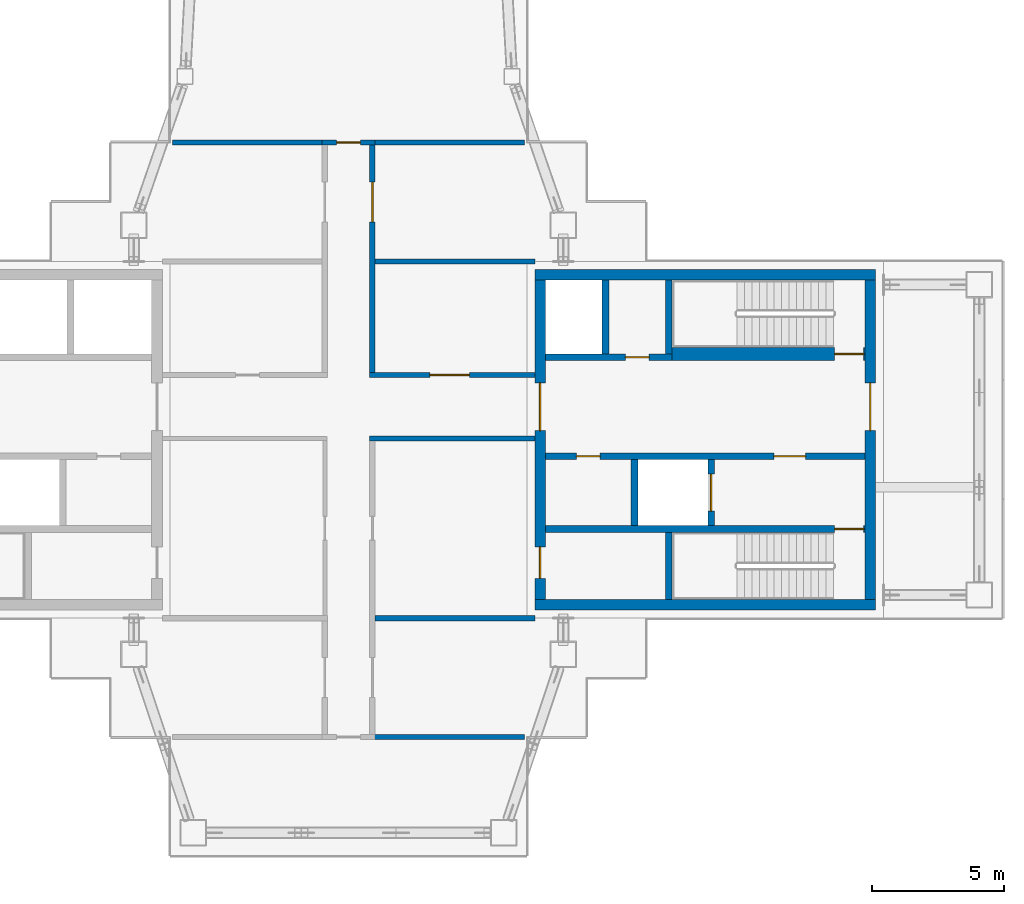
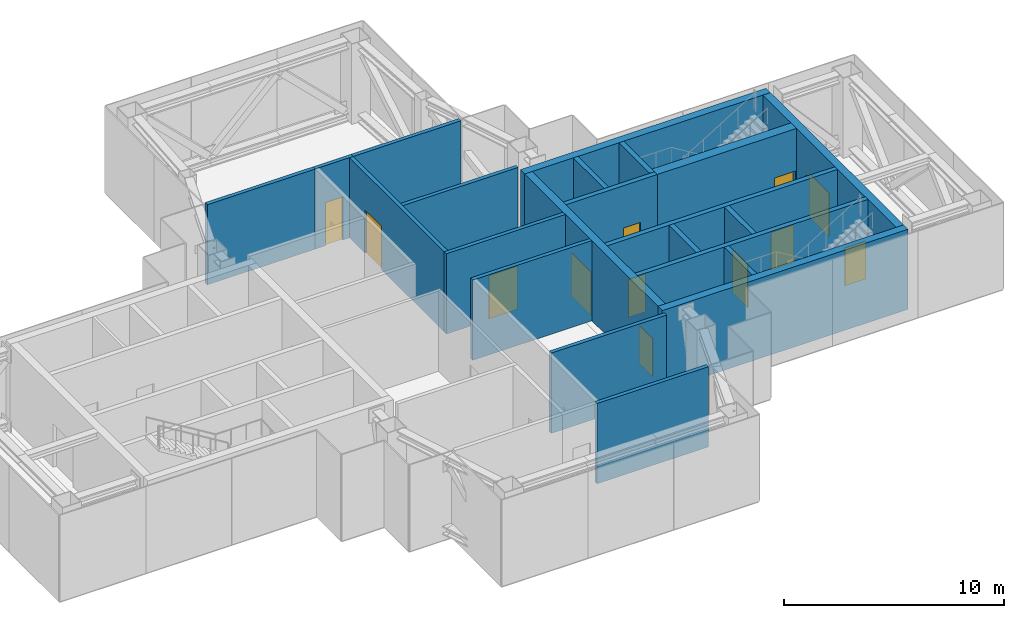
# One storey, part 9 of 18: 22 walls, 12 doors, 12 openings.
"""IFC4 building model written with IfcOpenShell, lengths in metres."""

from ifc_helpers import new_model, si_unit, direction, frame, frame_2d, origin, place, context, subcontext, project, spatial, rectangle, extrude, material, layer, layer_set, type_object, element, fill, save


model = new_model("IFC4")

# Units and contexts
model_context = context("Model", 3, precision=1e-05, world=origin(), true_north=direction((0.0, 1.0)))
body_context = subcontext(model_context, "Body", "Model", "MODEL_VIEW")
ifc_project = project(units=[si_unit("LENGTHUNIT", "METRE"), si_unit("AREAUNIT", "SQUARE_METRE"), si_unit("VOLUMEUNIT", "CUBIC_METRE"), si_unit("PLANEANGLEUNIT", "RADIAN"), si_unit("MASSUNIT", "GRAM", prefix="KILO")], contexts=[model_context])

# Site, building, storey
site_placement = place(None, origin())
site = spatial("IfcSite", under=ifc_project, at=site_placement, CompositionType="ELEMENT")
building_placement = place(site_placement, origin())
building = spatial("IfcBuilding", under=site, at=building_placement, Name="Shamsa Quay Exchange Towers", CompositionType="ELEMENT")
storey_placement = place(building_placement, frame((0.0, 0.0, 225.60009765625)))
storey = spatial("IfcBuildingStorey", under=building, at=storey_placement, Name="L54", CompositionType="ELEMENT", Elevation=225.60009765625)

# Walls
ifc_material_1 = material(Name="Concrete C60/75", Category="concrete")
ifc_layer_1 = layer(ifc_material_1, 0.39990234375)
ifc_layer_set_1 = layer_set([ifc_layer_1], Name="CORE WALL 400 C60/75")
wall_type_1 = type_object("IfcWallType", Name="CORE WALL 400 C60/75", PredefinedType="SHEAR", material=ifc_layer_set_1)
for number, where, z_axis, x_axis, name in (
    (1, (53.699951171875, -6.25, 0.0), (0.0, 0.0, 1.0), (-1.0, 0.0, 0.0), "Core wall T2B-L54-PS"),
    (2, (53.699951171875, 6.25, 0.0), (0.0, 0.0, 1.0), (-1.0, 0.0, 0.0), "Core wall T2B-L54-PN"),
):
    element("IfcWall", number, at=place(storey_placement, frame(where, z_axis=z_axis, x_axis=x_axis)), inside=storey, type_object=wall_type_1, Name=name, PredefinedType="SHEAR", context=body_context, shape_type="SweptSolid", body=[
        extrude(rectangle(XDim=12.89990234375, YDim=0.39990234375, at=frame_2d((6.449951171875, 0.0))), origin(), (0.0, 0.0, 1.0), 4.449951171875),
    ])

# Wall, opening, door
wall_1_placement = place(storey_placement, frame((53.5, -6.050048828125, 0.0), z_axis=(0.0, 0.0, 1.0), x_axis=(0.0, 1.0, 0.0)))
wall_1 = element("IfcWall", 3, at=wall_1_placement, inside=storey, type_object=wall_type_1, Name="Core wall T2B-L54-PF", PredefinedType="SHEAR", context=body_context, shape_type="SweptSolid", body=[
    extrude(rectangle(XDim=12.10009765625, YDim=0.39990234375, at=frame_2d((6.050048828125, 0.0))), origin(), (0.0, 0.0, 1.0), 4.449951171875),
])
opening_1_placement = place(wall_1_placement, frame((6.39990234375, 0.0, 0.0)))
opening_1 = element("IfcOpeningElement", 4, at=opening_1_placement, cuts=wall_1, Name="Opening T2B-L54-LBD01", PredefinedType="OPENING", context=body_context, shape_type="SweptSolid", body=[
    extrude(rectangle(XDim=1.800048828125, YDim=2.39990234375, at=frame_2d((0.89990234375, 1.199951171875))), frame((0.0, 0.2099609375, 0.0), z_axis=(0.0, -1.0, 0.0), x_axis=(1.0, 0.0, 0.0)), (0.0, 0.0, 1.0), 0.419921875),
])
ifc_material_2 = material(Name="Steel, fire rated", Category="steel")
door_type_1 = type_object("IfcDoorType", Name="LIFT LOBBY DOOR PAIR 1800", OperationType="DOUBLE_DOOR_SINGLE_SWING", PredefinedType="DOOR", material=ifc_material_2)
door_1_placement = place(opening_1_placement, origin())
door_1 = element("IfcDoor", 5, at=door_1_placement, inside=storey, type_object=door_type_1, Name="T2B-L54-LBD01", OperationType="DOUBLE_DOOR_SINGLE_SWING", OverallHeight=2.39990234375, OverallWidth=1.800048828125, PredefinedType="DOOR", context=body_context, shape_type="SweptSolid", body=[
    extrude(rectangle(XDim=1.800048828125, YDim=2.39990234375, at=frame_2d((0.89990234375, 1.199951171875))), frame((0.0, 0.02490234375, 0.0), z_axis=(0.0, -1.0, 0.0), x_axis=(1.0, 0.0, 0.0)), (0.0, 0.0, 1.0), 0.050048828125),
])
fill(opening_1, door_1)

# Wall, openings, doors
wall_2_placement = place(storey_placement, frame((41.0, -6.050048828125, 0.0), z_axis=(0.0, 0.0, 1.0), x_axis=(0.0, 1.0, 0.0)))
wall_2 = element("IfcWall", 6, at=wall_2_placement, inside=storey, type_object=wall_type_1, Name="Core wall T2B-L54-PB", PredefinedType="SHEAR", context=body_context, shape_type="SweptSolid", body=[
    extrude(rectangle(XDim=12.10009765625, YDim=0.39990234375, at=frame_2d((6.050048828125, 0.0))), origin(), (0.0, 0.0, 1.0), 4.449951171875),
])
opening_2_placement = place(wall_2_placement, frame((0.800048828125, 0.0, 0.0)))
opening_2 = element("IfcOpeningElement", 7, at=opening_2_placement, cuts=wall_2, Name="Opening T2B-L54-RD02", PredefinedType="OPENING", context=body_context, shape_type="SweptSolid", body=[
    extrude(rectangle(XDim=1.199951171875, YDim=2.10009765625, at=frame_2d((0.60009765625, 1.050048828125))), frame((0.0, 0.2099609375, 0.0), z_axis=(0.0, -1.0, 0.0), x_axis=(1.0, 0.0, 0.0)), (0.0, 0.0, 1.0), 0.419921875),
])
opening_3_placement = place(wall_2_placement, frame((6.39990234375, 0.0, 0.0)))
opening_3 = element("IfcOpeningElement", 8, at=opening_3_placement, cuts=wall_2, Name="Opening T2B-L54-LBD03", PredefinedType="OPENING", context=body_context, shape_type="SweptSolid", body=[
    extrude(rectangle(XDim=1.800048828125, YDim=2.39990234375, at=frame_2d((0.89990234375, 1.199951171875))), frame((0.0, 0.2099609375, 0.0), z_axis=(0.0, -1.0, 0.0), x_axis=(1.0, 0.0, 0.0)), (0.0, 0.0, 1.0), 0.419921875),
])
door_2_placement = place(opening_3_placement, origin())
door_2 = element("IfcDoor", 9, at=door_2_placement, inside=storey, type_object=door_type_1, Name="T2B-L54-LBD03", OperationType="DOUBLE_DOOR_SINGLE_SWING", OverallHeight=2.39990234375, OverallWidth=1.800048828125, PredefinedType="DOOR", context=body_context, shape_type="SweptSolid", body=[
    extrude(rectangle(XDim=1.800048828125, YDim=2.39990234375, at=frame_2d((0.89990234375, 1.199951171875))), frame((0.0, 0.02490234375, 0.0), z_axis=(0.0, -1.0, 0.0), x_axis=(1.0, 0.0, 0.0)), (0.0, 0.0, 1.0), 0.050048828125),
])
fill(opening_3, door_2)
door_type_2 = type_object("IfcDoorType", Name="RISER ACCESS DOOR 1200", OperationType="SINGLE_SWING_LEFT", PredefinedType="DOOR", material=ifc_material_2)
door_3_placement = place(opening_2_placement, origin())
door_3 = element("IfcDoor", 10, at=door_3_placement, inside=storey, type_object=door_type_2, Name="T2B-L54-RD02", OperationType="SINGLE_SWING_LEFT", OverallHeight=2.10009765625, OverallWidth=1.199951171875, PredefinedType="DOOR", context=body_context, shape_type="SweptSolid", body=[
    extrude(rectangle(XDim=1.199951171875, YDim=2.10009765625, at=frame_2d((0.60009765625, 1.050048828125))), frame((0.0, 0.02490234375, 0.0), z_axis=(0.0, -1.0, 0.0), x_axis=(1.0, 0.0, 0.0)), (0.0, 0.0, 1.0), 0.050048828125),
])
fill(opening_2, door_3)

# Wall, opening, door
ifc_material_3 = material(Name="Gypsum board partition on metal studs")
ifc_layer_2 = layer(ifc_material_3, 0.199951171875)
ifc_layer_set_2 = layer_set([ifc_layer_2], Name="Partition 200 mm EI 120")
wall_type_2 = type_object("IfcWallType", Name="Partition 200 mm EI 120", PredefinedType="PARTITIONING", material=ifc_layer_set_2)
wall_3_placement = place(storey_placement, frame((34.55029296875, 2.4501953125, 0.0)))
wall_3 = element("IfcWall", 11, at=wall_3_placement, inside=storey, type_object=wall_type_2, Name="Partition T2-L54-W03", PredefinedType="PARTITIONING", context=body_context, shape_type="SweptSolid", body=[
    extrude(rectangle(XDim=6.249755859375, YDim=0.199951171875, at=frame_2d((3.125, 0.0))), origin(), (0.0, 0.0, 1.0), 4.449951171875),
])
opening_4_placement = place(wall_3_placement, frame((2.27490234375, 0.0, 0.0)))
opening_4 = element("IfcOpeningElement", 12, at=opening_4_placement, cuts=wall_3, Name="Opening T2-L54-D01", PredefinedType="OPENING", context=body_context, shape_type="SweptSolid", body=[
    extrude(rectangle(XDim=1.5, YDim=2.39990234375, at=frame_2d((0.75, 1.199951171875))), frame((0.0, 0.10986328125, 0.0), z_axis=(0.0, -1.0, 0.0), x_axis=(1.0, 0.0, 0.0)), (0.0, 0.0, 1.0), 0.219970703125),
])
ifc_material_4 = material(Name="Timber door leaf in a metal frame", Category="wood")
door_type_3 = type_object("IfcDoorType", Name="Door 1500x2400 FD60 pair", OperationType="NOTDEFINED", PredefinedType="DOOR", material=ifc_material_4)
door_4_placement = place(opening_4_placement, origin())
door_4 = element("IfcDoor", 13, at=door_4_placement, inside=storey, type_object=door_type_3, Name="Door T2-L54-D01", OperationType="DOUBLE_DOOR_SINGLE_SWING", OverallHeight=2.39990234375, OverallWidth=1.5, PredefinedType="DOOR", context=body_context, shape_type="SweptSolid", body=[
    extrude(rectangle(XDim=1.5, YDim=2.39990234375, at=frame_2d((0.75, 1.199951171875))), frame((0.0, 0.02490234375, 0.0), z_axis=(0.0, -1.0, 0.0), x_axis=(1.0, 0.0, 0.0)), (0.0, 0.0, 1.0), 0.050048828125),
])
fill(opening_4, door_4)

wall_4_placement = place(storey_placement, frame((34.650390625, 11.14990234375, 0.0), z_axis=(0.0, 0.0, 1.0), x_axis=(0.0, -1.0, 0.0)))
wall_4 = element("IfcWall", 14, at=wall_4_placement, inside=storey, type_object=wall_type_2, Name="Partition T2-L54-W08", PredefinedType="PARTITIONING", context=body_context, shape_type="SweptSolid", body=[
    extrude(rectangle(XDim=8.599609375, YDim=0.199951171875, at=frame_2d((4.2998046875, 0.0))), origin(), (0.0, 0.0, 1.0), 4.449951171875),
])
opening_5_placement = place(wall_4_placement, frame((1.39990234375, 0.0, 0.0)))
opening_5 = element("IfcOpeningElement", 15, at=opening_5_placement, cuts=wall_4, Name="Opening T2-L54-D04", PredefinedType="OPENING", context=body_context, shape_type="SweptSolid", body=[
    extrude(rectangle(XDim=1.5, YDim=2.39990234375, at=frame_2d((0.75, 1.199951171875))), frame((0.0, 0.10986328125, 0.0), z_axis=(0.0, -1.0, 0.0), x_axis=(1.0, 0.0, 0.0)), (0.0, 0.0, 1.0), 0.219970703125),
])
door_5_placement = place(opening_5_placement, origin())
door_5 = element("IfcDoor", 16, at=door_5_placement, inside=storey, type_object=door_type_3, Name="Door T2-L54-D04", OperationType="DOUBLE_DOOR_SINGLE_SWING", OverallHeight=2.39990234375, OverallWidth=1.5, PredefinedType="DOOR", context=body_context, shape_type="SweptSolid", body=[
    extrude(rectangle(XDim=1.5, YDim=2.39990234375, at=frame_2d((0.75, 1.199951171875))), frame((0.0, 0.02490234375, 0.0), z_axis=(0.0, -1.0, 0.0), x_axis=(1.0, 0.0, 0.0)), (0.0, 0.0, 1.0), 0.050048828125),
])
fill(opening_5, door_5)

# Wall
wall_5_placement = place(storey_placement, frame((40.800048828125, 0.0498046875, 0.0), z_axis=(0.0, 0.0, 1.0), x_axis=(-1.0, 0.0, 0.0)))
element("IfcWall", 17, at=wall_5_placement, inside=storey, type_object=wall_type_2, Name="Partition T2-L54-W09", PredefinedType="PARTITIONING", context=body_context, shape_type="SweptSolid", body=[
    extrude(rectangle(XDim=6.249755859375, YDim=0.199951171875, at=frame_2d((3.125, 0.0))), origin(), (0.0, 0.0, 1.0), 4.449951171875),
])

# Wall, opening, door
wall_6_placement = place(storey_placement, frame((32.74951171875, 11.25, 0.0)))
wall_6 = element("IfcWall", 18, at=wall_6_placement, inside=storey, type_object=wall_type_2, Name="Partition T2-L54-W10", PredefinedType="PARTITIONING", context=body_context, shape_type="SweptSolid", body=[
    extrude(rectangle(XDim=2.0009765625, YDim=0.199951171875, at=frame_2d((1.00048828125, 0.0))), origin(), (0.0, 0.0, 1.0), 4.449951171875),
])
opening_6_placement = place(wall_6_placement, frame((0.55029296875, 0.0, 0.0)))
opening_6 = element("IfcOpeningElement", 19, at=opening_6_placement, cuts=wall_6, Name="Opening T2-L54-D05", PredefinedType="OPENING", context=body_context, shape_type="SweptSolid", body=[
    extrude(rectangle(XDim=0.89990234375, YDim=2.39990234375, at=frame_2d((0.449951171875, 1.199951171875))), frame((0.0, 0.10986328125, 0.0), z_axis=(0.0, -1.0, 0.0), x_axis=(1.0, 0.0, 0.0)), (0.0, 0.0, 1.0), 0.219970703125),
])
door_type_4 = type_object("IfcDoorType", Name="Door 900x2400 FD60", OperationType="NOTDEFINED", PredefinedType="DOOR", material=ifc_material_4)
door_6_placement = place(opening_6_placement, origin())
door_6 = element("IfcDoor", 20, at=door_6_placement, inside=storey, type_object=door_type_4, Name="Door T2-L54-D05", OperationType="SINGLE_SWING_LEFT", OverallHeight=2.39990234375, OverallWidth=0.89990234375, PredefinedType="DOOR", context=body_context, shape_type="SweptSolid", body=[
    extrude(rectangle(XDim=0.89990234375, YDim=2.39990234375, at=frame_2d((0.449951171875, 1.199951171875))), frame((0.0, 0.02490234375, 0.0), z_axis=(0.0, -1.0, 0.0), x_axis=(1.0, 0.0, 0.0)), (0.0, 0.0, 1.0), 0.050048828125),
])
fill(opening_6, door_6)

# Walls
wall_7_placement = place(storey_placement, frame((40.800048828125, 6.75, 0.0), z_axis=(0.0, 0.0, 1.0), x_axis=(-1.0, 0.0, 0.0)))
element("IfcWall", 21, at=wall_7_placement, inside=storey, type_object=wall_type_2, Name="Partition T2-L54-W13", PredefinedType="PARTITIONING", context=body_context, shape_type="SweptSolid", body=[
    extrude(rectangle(XDim=6.049560546875, YDim=0.199951171875, at=frame_2d((3.02490234375, 0.0))), origin(), (0.0, 0.0, 1.0), 4.449951171875),
])
wall_8_placement = place(storey_placement, frame((34.75048828125, -6.75, 0.0)))
element("IfcWall", 22, at=wall_8_placement, inside=storey, type_object=wall_type_2, Name="Partition T2-L54-W14", PredefinedType="PARTITIONING", context=body_context, shape_type="SweptSolid", body=[
    extrude(rectangle(XDim=6.049560546875, YDim=0.199951171875, at=frame_2d((3.02490234375, 0.0))), origin(), (0.0, 0.0, 1.0), 4.449951171875),
])
for number, where, z_axis, x_axis, name in (
    (23, (32.94970703125, 11.25, 0.0), (0.0, 0.0, 1.0), (-1.0, 0.0, 0.0), "Partition T2-L54-W16"),
    (24, (40.405029296875, 11.25, 0.0), (0.0, 0.0, 1.0), (-1.0, 0.0, 0.0), "Partition T2-L54-W17"),
):
    element("IfcWall", number, at=place(storey_placement, frame(where, z_axis=z_axis, x_axis=x_axis)), inside=storey, type_object=wall_type_2, Name=name, PredefinedType="PARTITIONING", context=body_context, shape_type="SweptSolid", body=[
        extrude(rectangle(XDim=5.854736328125, YDim=0.199951171875, at=frame_2d((2.92724609375, 0.0))), origin(), (0.0, 0.0, 1.0), 4.449951171875),
    ])
wall_9_placement = place(storey_placement, frame((34.55029296875, -11.25, 0.0)))
element("IfcWall", 25, at=wall_9_placement, inside=storey, type_object=wall_type_2, Name="Partition T2-L54-W18", PredefinedType="PARTITIONING", context=body_context, shape_type="SweptSolid", body=[
    extrude(rectangle(XDim=5.854736328125, YDim=0.199951171875, at=frame_2d((2.92724609375, 0.0))), origin(), (0.0, 0.0, 1.0), 4.449951171875),
])

# Wall, opening, door
ifc_material_5 = material(Name="Concrete C50/60", Category="concrete")
ifc_layer_3 = layer(ifc_material_5, 0.25)
ifc_layer_set_3 = layer_set([ifc_layer_3], Name="SHAFT WALL 250 C50/60")
wall_type_3 = type_object("IfcWallType", Name="SHAFT WALL 250 C50/60", PredefinedType="SHEAR", material=ifc_layer_set_3)
wall_10_placement = place(storey_placement, frame((53.300048828125, -3.375, 0.0), z_axis=(0.0, 0.0, 1.0), x_axis=(-1.0, 0.0, 0.0)))
wall_10 = element("IfcWall", 26, at=wall_10_placement, inside=storey, type_object=wall_type_3, Name="Shaft wall T2B-L54-STL", PredefinedType="SHEAR", context=body_context, shape_type="SweptSolid", body=[
    extrude(rectangle(XDim=12.10009765625, YDim=0.25, at=frame_2d((6.050048828125, 0.0))), origin(), (0.0, 0.0, 1.0), 4.449951171875),
])
opening_7_placement = place(wall_10_placement, frame((0.050048828125, 0.0, 0.0)))
opening_7 = element("IfcOpeningElement", 27, at=opening_7_placement, cuts=wall_10, Name="Opening T2B-L54-SD04", PredefinedType="OPENING", context=body_context, shape_type="SweptSolid", body=[
    extrude(rectangle(XDim=1.10009765625, YDim=2.10009765625, at=frame_2d((0.550048828125, 1.050048828125))), frame((0.0, 0.135009765625, 0.0), z_axis=(0.0, -1.0, 0.0), x_axis=(1.0, 0.0, 0.0)), (0.0, 0.0, 1.0), 0.27001953125),
])
door_type_5 = type_object("IfcDoorType", Name="STAIR DOOR 1100", OperationType="SINGLE_SWING_LEFT", PredefinedType="DOOR", material=ifc_material_2)
door_7_placement = place(opening_7_placement, origin())
door_7 = element("IfcDoor", 28, at=door_7_placement, inside=storey, type_object=door_type_5, Name="T2B-L54-SD04", OperationType="SINGLE_SWING_LEFT", OverallHeight=2.10009765625, OverallWidth=1.10009765625, PredefinedType="DOOR", context=body_context, shape_type="SweptSolid", body=[
    extrude(rectangle(XDim=1.10009765625, YDim=2.10009765625, at=frame_2d((0.550048828125, 1.050048828125))), frame((0.0, 0.02490234375, 0.0), z_axis=(0.0, -1.0, 0.0), x_axis=(1.0, 0.0, 0.0)), (0.0, 0.0, 1.0), 0.050048828125),
])
fill(opening_7, door_7)

# Wall
wall_11_placement = place(storey_placement, frame((45.875, -6.050048828125, 0.0), z_axis=(0.0, 0.0, 1.0), x_axis=(0.0, 1.0, 0.0)))
element("IfcWall", 29, at=wall_11_placement, inside=storey, type_object=wall_type_3, Name="Shaft wall T2B-L54-STF", PredefinedType="SHEAR", context=body_context, shape_type="SweptSolid", body=[
    extrude(rectangle(XDim=2.550048828125, YDim=0.25, at=frame_2d((1.27490234375, 0.0))), origin(), (0.0, 0.0, 1.0), 4.449951171875),
])

# Wall, openings, doors
wall_12_placement = place(storey_placement, frame((53.300048828125, -0.625, 0.0), z_axis=(0.0, 0.0, 1.0), x_axis=(-1.0, 0.0, 0.0)))
wall_12 = element("IfcWall", 30, at=wall_12_placement, inside=storey, type_object=wall_type_3, Name="Shaft wall T2B-L54-B", PredefinedType="SHEAR", context=body_context, shape_type="SweptSolid", body=[
    extrude(rectangle(XDim=12.10009765625, YDim=0.25, at=frame_2d((6.050048828125, 0.0))), origin(), (0.0, 0.0, 1.0), 4.449951171875),
])
opening_8_placement = place(wall_12_placement, frame((2.25, 0.0, 0.0)))
opening_8 = element("IfcOpeningElement", 31, at=opening_8_placement, cuts=wall_12, Name="Opening T2B-L54-FD05", PredefinedType="OPENING", context=body_context, shape_type="SweptSolid", body=[
    extrude(rectangle(XDim=1.199951171875, YDim=2.10009765625, at=frame_2d((0.60009765625, 1.050048828125))), frame((0.0, 0.135009765625, 0.0), z_axis=(0.0, -1.0, 0.0), x_axis=(1.0, 0.0, 0.0)), (0.0, 0.0, 1.0), 0.27001953125),
])
opening_9_placement = place(wall_12_placement, frame((10.02490234375, 0.0, 0.0)))
opening_9 = element("IfcOpeningElement", 32, at=opening_9_placement, cuts=wall_12, Name="Opening T2B-L54-SV06", PredefinedType="OPENING", context=body_context, shape_type="SweptSolid", body=[
    extrude(rectangle(XDim=0.89990234375, YDim=2.10009765625, at=frame_2d((0.449951171875, 1.050048828125))), frame((0.0, 0.135009765625, 0.0), z_axis=(0.0, -1.0, 0.0), x_axis=(1.0, 0.0, 0.0)), (0.0, 0.0, 1.0), 0.27001953125),
])
door_type_6 = type_object("IfcDoorType", Name="FIRE SERVICE LOBBY DOOR 1200", OperationType="SINGLE_SWING_LEFT", PredefinedType="DOOR", material=ifc_material_2)
door_8_placement = place(opening_8_placement, origin())
door_8 = element("IfcDoor", 33, at=door_8_placement, inside=storey, type_object=door_type_6, Name="T2B-L54-FD05", OperationType="SINGLE_SWING_LEFT", OverallHeight=2.10009765625, OverallWidth=1.199951171875, PredefinedType="DOOR", context=body_context, shape_type="SweptSolid", body=[
    extrude(rectangle(XDim=1.199951171875, YDim=2.10009765625, at=frame_2d((0.60009765625, 1.050048828125))), frame((0.0, 0.02490234375, 0.0), z_axis=(0.0, -1.0, 0.0), x_axis=(1.0, 0.0, 0.0)), (0.0, 0.0, 1.0), 0.050048828125),
])
fill(opening_8, door_8)
door_type_7 = type_object("IfcDoorType", Name="SERVICE ROOM DOOR 900", OperationType="SINGLE_SWING_LEFT", PredefinedType="DOOR", material=ifc_material_2)
door_9_placement = place(opening_9_placement, origin())
door_9 = element("IfcDoor", 34, at=door_9_placement, inside=storey, type_object=door_type_7, Name="T2B-L54-SV06", OperationType="SINGLE_SWING_RIGHT", OverallHeight=2.10009765625, OverallWidth=0.89990234375, PredefinedType="DOOR", context=body_context, shape_type="SweptSolid", body=[
    extrude(rectangle(XDim=0.89990234375, YDim=2.10009765625, at=frame_2d((0.449951171875, 1.050048828125))), frame((0.0, 0.02490234375, 0.0), z_axis=(0.0, -1.0, 0.0), x_axis=(1.0, 0.0, 0.0)), (0.0, 0.0, 1.0), 0.050048828125),
])
fill(opening_9, door_9)

# Wall, opening, door
wall_13_placement = place(storey_placement, frame((47.47509765625, -3.25, 0.0), z_axis=(0.0, 0.0, 1.0), x_axis=(0.0, 1.0, 0.0)))
wall_13 = element("IfcWall", 35, at=wall_13_placement, inside=storey, type_object=wall_type_3, Name="Shaft wall T2B-L54-FFF", PredefinedType="SHEAR", context=body_context, shape_type="SweptSolid", body=[
    extrude(rectangle(XDim=2.5, YDim=0.25, at=frame_2d((1.25, 0.0))), origin(), (0.0, 0.0, 1.0), 4.449951171875),
])
opening_10_placement = place(wall_13_placement, frame((0.550048828125, 0.0, 0.0)))
opening_10 = element("IfcOpeningElement", 36, at=opening_10_placement, cuts=wall_13, Name="Opening T2B-L54-LDG07", PredefinedType="OPENING", context=body_context, shape_type="SweptSolid", body=[
    extrude(rectangle(XDim=1.39990234375, YDim=2.39990234375, at=frame_2d((0.699951171875, 1.199951171875))), frame((0.0, 0.135009765625, 0.0), z_axis=(0.0, -1.0, 0.0), x_axis=(1.0, 0.0, 0.0)), (0.0, 0.0, 1.0), 0.27001953125),
])
door_type_8 = type_object("IfcDoorType", Name="GOODS LIFT LANDING DOOR 1400", OperationType="SLIDING_TO_LEFT", PredefinedType="DOOR", material=ifc_material_2)
door_10_placement = place(opening_10_placement, origin())
door_10 = element("IfcDoor", 37, at=door_10_placement, inside=storey, type_object=door_type_8, Name="T2B-L54-LDG07", OperationType="SLIDING_TO_LEFT", OverallHeight=2.39990234375, OverallWidth=1.39990234375, PredefinedType="DOOR", context=body_context, shape_type="SweptSolid", body=[
    extrude(rectangle(XDim=1.39990234375, YDim=2.39990234375, at=frame_2d((0.699951171875, 1.199951171875))), frame((0.0, 0.02490234375, 0.0), z_axis=(0.0, -1.0, 0.0), x_axis=(1.0, 0.0, 0.0)), (0.0, 0.0, 1.0), 0.050048828125),
])
fill(opening_10, door_10)

# Wall
wall_14_placement = place(storey_placement, frame((44.574951171875, -3.25, 0.0), z_axis=(0.0, 0.0, 1.0), x_axis=(0.0, 1.0, 0.0)))
element("IfcWall", 38, at=wall_14_placement, inside=storey, type_object=wall_type_3, Name="Shaft wall T2B-L54-FFB", PredefinedType="SHEAR", context=body_context, shape_type="SweptSolid", body=[
    extrude(rectangle(XDim=2.5, YDim=0.25, at=frame_2d((1.25, 0.0))), origin(), (0.0, 0.0, 1.0), 4.449951171875),
])

# Wall, opening, door
wall_15_placement = place(storey_placement, frame((41.199951171875, 3.125, 0.0)))
wall_15 = element("IfcWall", 39, at=wall_15_placement, inside=storey, type_object=wall_type_3, Name="Shaft wall T2B-L54-N2", PredefinedType="SHEAR", context=body_context, shape_type="SweptSolid", body=[
    extrude(rectangle(XDim=4.800048828125, YDim=0.25, at=frame_2d((2.39990234375, 0.0))), origin(), (0.0, 0.0, 1.0), 4.449951171875),
])
opening_11_placement = place(wall_15_placement, frame((3.02490234375, 0.0, 0.0)))
opening_11 = element("IfcOpeningElement", 40, at=opening_11_placement, cuts=wall_15, Name="Opening T2B-L54-SV09", PredefinedType="OPENING", context=body_context, shape_type="SweptSolid", body=[
    extrude(rectangle(XDim=0.89990234375, YDim=2.10009765625, at=frame_2d((0.449951171875, 1.050048828125))), frame((0.0, 0.135009765625, 0.0), z_axis=(0.0, -1.0, 0.0), x_axis=(1.0, 0.0, 0.0)), (0.0, 0.0, 1.0), 0.27001953125),
])
door_11_placement = place(opening_11_placement, origin())
door_11 = element("IfcDoor", 41, at=door_11_placement, inside=storey, type_object=door_type_7, Name="T2B-L54-SV09", OperationType="SINGLE_SWING_RIGHT", OverallHeight=2.10009765625, OverallWidth=0.89990234375, PredefinedType="DOOR", context=body_context, shape_type="SweptSolid", body=[
    extrude(rectangle(XDim=0.89990234375, YDim=2.10009765625, at=frame_2d((0.449951171875, 1.050048828125))), frame((0.0, 0.02490234375, 0.0), z_axis=(0.0, -1.0, 0.0), x_axis=(1.0, 0.0, 0.0)), (0.0, 0.0, 1.0), 0.050048828125),
])
fill(opening_11, door_11)

# Walls
for number, where, z_axis, x_axis, name in (
    (42, (45.875, 3.25, 0.0), (0.0, 0.0, 1.0), (0.0, 1.0, 0.0), "Shaft wall T2B-L54-STF2"),
    (43, (43.47509765625, 3.25, 0.0), (0.0, 0.0, 1.0), (0.0, 1.0, 0.0), "Shaft wall T2B-L54-D0"),
):
    element("IfcWall", number, at=place(storey_placement, frame(where, z_axis=z_axis, x_axis=x_axis)), inside=storey, type_object=wall_type_3, Name=name, PredefinedType="SHEAR", context=body_context, shape_type="SweptSolid", body=[
        extrude(rectangle(XDim=2.800048828125, YDim=0.25, at=frame_2d((1.39990234375, 0.0))), origin(), (0.0, 0.0, 1.0), 4.449951171875),
    ])

# Wall, opening, door
ifc_layer_4 = layer(ifc_material_5, 0.5)
ifc_layer_set_4 = layer_set([ifc_layer_4], Name="SHAFT WALL 500 C50/60")
wall_type_4 = type_object("IfcWallType", Name="SHAFT WALL 500 C50/60", PredefinedType="SHEAR", material=ifc_layer_set_4)
wall_16_placement = place(storey_placement, frame((46.0, 3.25, 0.0)))
wall_16 = element("IfcWall", 44, at=wall_16_placement, inside=storey, type_object=wall_type_4, Name="Shaft wall T2B-L54-N", PredefinedType="SHEAR", context=body_context, shape_type="SweptSolid", body=[
    extrude(rectangle(XDim=7.300048828125, YDim=0.5, at=frame_2d((3.64990234375, 0.0))), origin(), (0.0, 0.0, 1.0), 4.449951171875),
])
opening_12_placement = place(wall_16_placement, frame((6.14990234375, 0.0, 0.0)))
opening_12 = element("IfcOpeningElement", 45, at=opening_12_placement, cuts=wall_16, Name="Opening T2B-L54-SD08", PredefinedType="OPENING", context=body_context, shape_type="SweptSolid", body=[
    extrude(rectangle(XDim=1.10009765625, YDim=2.10009765625, at=frame_2d((0.550048828125, 1.050048828125))), frame((0.0, 0.260009765625, 0.0), z_axis=(0.0, -1.0, 0.0), x_axis=(1.0, 0.0, 0.0)), (0.0, 0.0, 1.0), 0.52001953125),
])
door_12_placement = place(opening_12_placement, origin())
door_12 = element("IfcDoor", 46, at=door_12_placement, inside=storey, type_object=door_type_5, Name="T2B-L54-SD08", OperationType="SINGLE_SWING_RIGHT", OverallHeight=2.10009765625, OverallWidth=1.10009765625, PredefinedType="DOOR", context=body_context, shape_type="SweptSolid", body=[
    extrude(rectangle(XDim=1.10009765625, YDim=2.10009765625, at=frame_2d((0.550048828125, 1.050048828125))), frame((0.0, 0.02490234375, 0.0), z_axis=(0.0, -1.0, 0.0), x_axis=(1.0, 0.0, 0.0)), (0.0, 0.0, 1.0), 0.050048828125),
])
fill(opening_12, door_12)

save(model, "model.ifc")
